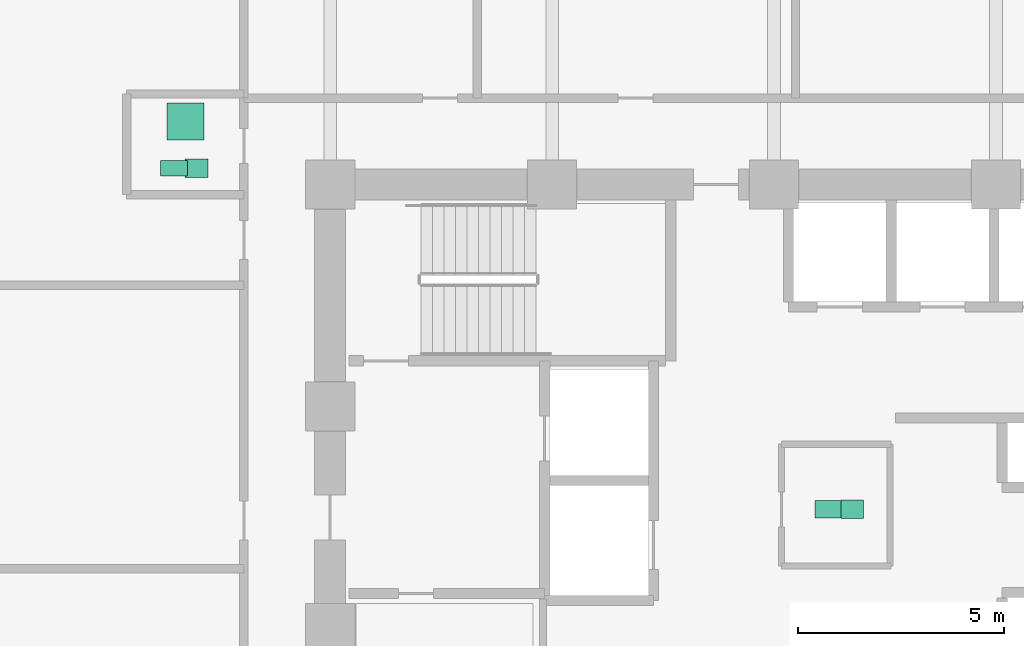
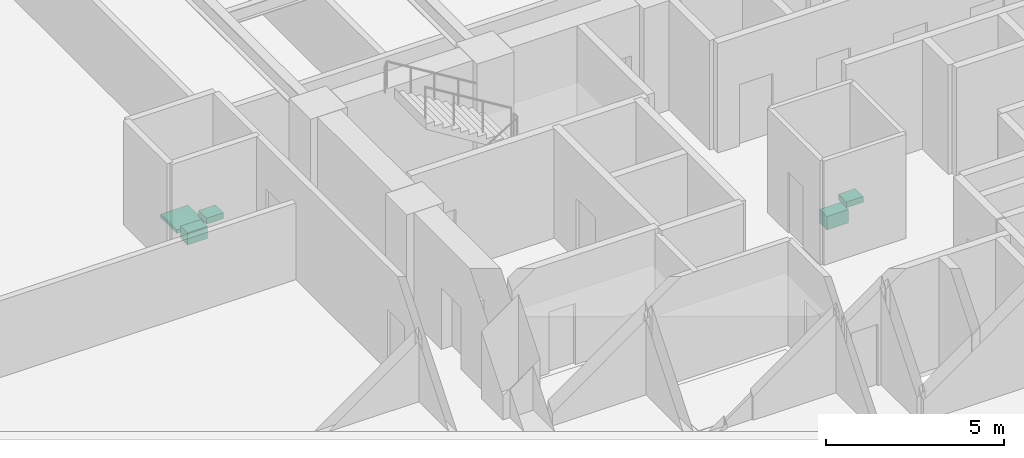
# One storey, part 24 of 24: 5 sanitary terminals.
"""IFC4 building model written with IfcOpenShell, lengths in metres."""

from ifc_helpers import new_model, si_unit, direction, frame, origin, origin_2d, place, context, subcontext, project, spatial, rectangle, extrude, material, type_object, element, save


model = new_model("IFC4")

# Units and contexts
model_context = context("Model", 3, precision=1e-05, world=origin(), true_north=direction((0.0, 1.0)))
body_context = subcontext(model_context, "Body", "Model", "MODEL_VIEW")
ifc_project = project(units=[si_unit("LENGTHUNIT", "METRE"), si_unit("AREAUNIT", "SQUARE_METRE"), si_unit("VOLUMEUNIT", "CUBIC_METRE"), si_unit("PLANEANGLEUNIT", "RADIAN"), si_unit("MASSUNIT", "GRAM", prefix="KILO")], contexts=[model_context])

# Site, building, storey
site_placement = place(None, origin())
site = spatial("IfcSite", under=ifc_project, at=site_placement, CompositionType="ELEMENT")
building_placement = place(site_placement, origin())
building = spatial("IfcBuilding", under=site, at=building_placement, Name="Surkhivell Harbour Commons", CompositionType="ELEMENT")
storey_placement = place(building_placement, frame((0.0, 0.0, 26.25)))
storey = spatial("IfcBuildingStorey", under=building, at=storey_placement, Name="L06", CompositionType="ELEMENT", Elevation=26.25)

# Sanitary terminals
ifc_material_1 = material(Name="Vitreous china washbasin", Category="other")
sanitary_terminal_type_1 = type_object("IfcSanitaryTerminalType", Name="SAN-BSN", PredefinedType="WASHHANDBASIN", material=ifc_material_1)
for number, where, z_axis, x_axis, name in (
    (1, (1.89990234375, 2.89990234375, 0.72021484375), (0.0, 0.0, 1.0), (1.0, 0.0, 0.0), "L06 Core Accessible WC Washbasin"),
    (2, (-14.050048828125, 11.18994140625, 0.72021484375), (0.0, 0.0, 1.0), (1.0, 0.0, 0.0), "L06 West Communal Bathroom WC Washbasin"),
):
    element("IfcSanitaryTerminal", number, at=place(storey_placement, frame(where, z_axis=z_axis, x_axis=x_axis)), inside=storey, type_object=sanitary_terminal_type_1, Name=name, PredefinedType="WASHHANDBASIN", context=body_context, shape_type="SweptSolid", body=[
        extrude(rectangle(XDim=0.550048828125, YDim=0.449951171875, at=origin_2d()), origin(), (0.0, 0.0, 1.0), 0.199951171875),
    ])
ifc_material_2 = material(Name="Glazed porcelain shower tray", Category="other")
sanitary_terminal_type_2 = type_object("IfcSanitaryTerminalType", Name="SAN-SHW", PredefinedType="SHOWER", material=ifc_material_2)
sanitary_terminal_1_placement = place(storey_placement, frame((-14.320068359375, 12.330078125, 0.0), z_axis=(0.0, 0.0, 1.0), x_axis=(1.0, 0.0, 0.0)))
element("IfcSanitaryTerminal", 3, at=sanitary_terminal_1_placement, inside=storey, type_object=sanitary_terminal_type_2, Name="L06 West Communal Shower Tray", PredefinedType="SHOWER", context=body_context, shape_type="SweptSolid", body=[
    extrude(rectangle(XDim=0.89990234375, YDim=0.89990234375, at=origin_2d()), origin(), (0.0, 0.0, 1.0), 0.1201171875),
])
ifc_material_3 = material(Name="Vitreous china sanitaryware", Category="other")
sanitary_terminal_type_3 = type_object("IfcSanitaryTerminalType", Name="SAN-WC-ACC", PredefinedType="TOILETPAN", material=ifc_material_3)
sanitary_terminal_2_placement = place(storey_placement, frame((1.35009765625, 2.89990234375, 0.169921875), z_axis=(0.0, 0.0, 1.0), x_axis=(1.0, 0.0, 0.0)))
element("IfcSanitaryTerminal", 4, at=sanitary_terminal_2_placement, inside=storey, type_object=sanitary_terminal_type_3, Name="L06 Core Accessible WC", PredefinedType="TOILETPAN", context=body_context, shape_type="SweptSolid", body=[
    extrude(rectangle(XDim=0.699951171875, YDim=0.419921875, at=origin_2d()), origin(), (0.0, 0.0, 1.0), 0.4599609375),
])
sanitary_terminal_type_4 = type_object("IfcSanitaryTerminalType", Name="SAN-WC-STD", PredefinedType="TOILETPAN", material=ifc_material_3)
sanitary_terminal_3_placement = place(storey_placement, frame((-14.60009765625, 11.18994140625, 0.18994140625), z_axis=(0.0, 0.0, 1.0), x_axis=(1.0, 0.0, 0.0)))
element("IfcSanitaryTerminal", 5, at=sanitary_terminal_3_placement, inside=storey, type_object=sanitary_terminal_type_4, Name="L06 West Communal Bathroom WC", PredefinedType="TOILETPAN", context=body_context, shape_type="SweptSolid", body=[
    extrude(rectangle(XDim=0.64990234375, YDim=0.3798828125, at=origin_2d()), origin(), (0.0, 0.0, 1.0), 0.419921875),
])

save(model, "model.ifc")
